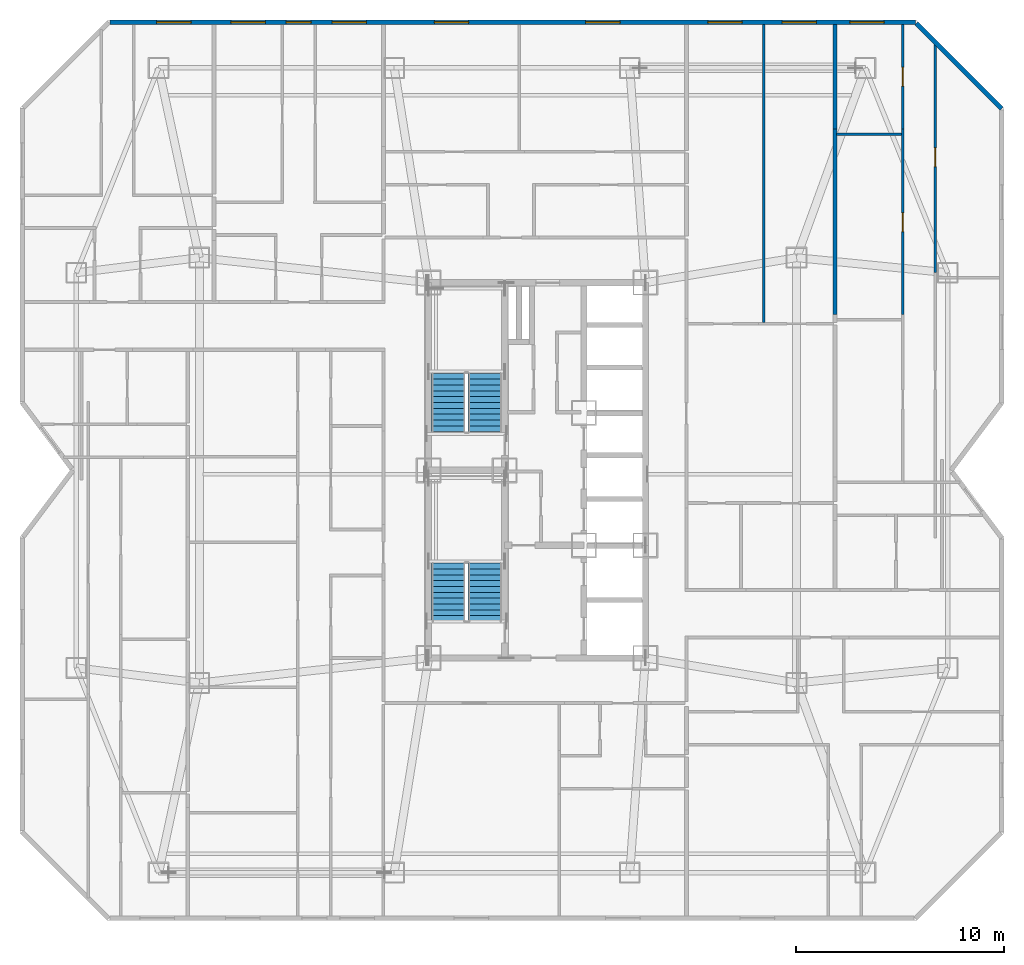
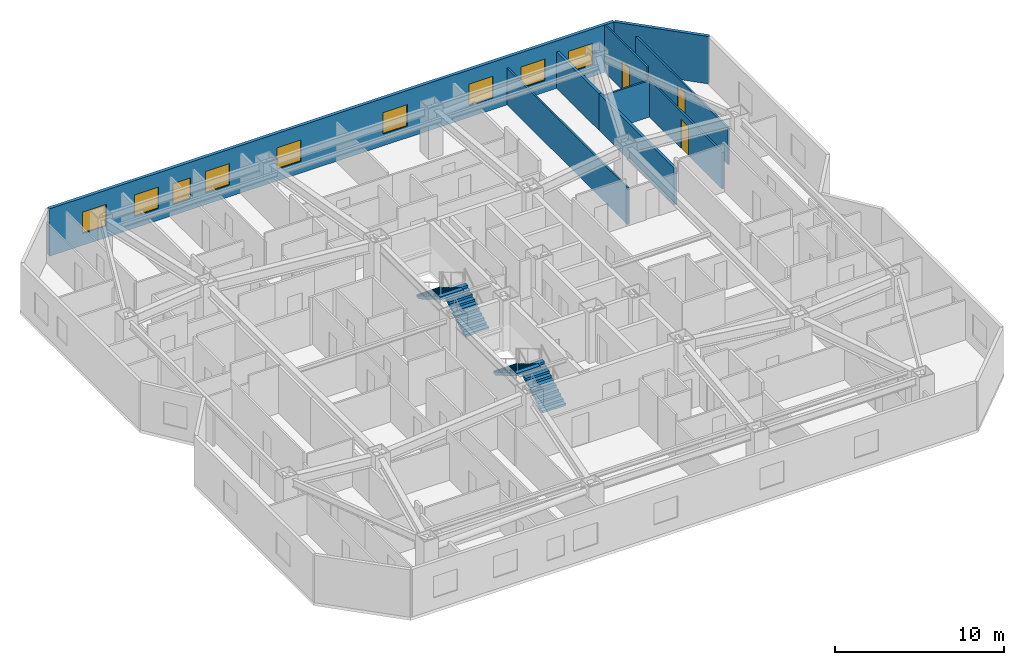
# One storey, part 11 of 12: 9 walls, 9 windows, 4 stair flights, 3 doors, 12 openings, 2 elements without a shape of their own.
"""IFC4 building model written with IfcOpenShell, lengths in metres."""

from ifc_helpers import new_model, si_unit, direction, frame, frame_2d, origin, place, context, subcontext, project, spatial, polyline, rectangle, outline, extrude, material, layer, layer_set, type_object, element, fill, aggregate, save


model = new_model("IFC4")

# Units and contexts
model_context = context("Model", 3, precision=1e-05, world=origin(), true_north=direction((0.0, 1.0)))
body_context = subcontext(model_context, "Body", "Model", "MODEL_VIEW")
ifc_project = project(units=[si_unit("LENGTHUNIT", "METRE"), si_unit("AREAUNIT", "SQUARE_METRE"), si_unit("VOLUMEUNIT", "CUBIC_METRE"), si_unit("PLANEANGLEUNIT", "RADIAN"), si_unit("MASSUNIT", "GRAM", prefix="KILO")], contexts=[model_context])

# Site, building, storey
site_placement = place(None, origin())
site = spatial("IfcSite", under=ifc_project, at=site_placement, CompositionType="ELEMENT")
building_placement = place(site_placement, origin())
building = spatial("IfcBuilding", under=site, at=building_placement, Name="Khamvora Tower", CompositionType="ELEMENT")
storey_placement = place(building_placement, frame((0.0, 0.0, 127.449951171875)))
storey = spatial("IfcBuildingStorey", under=building, at=storey_placement, Name="L32", CompositionType="ELEMENT", Elevation=127.449951171875)

# Walls
ifc_material_1 = material(Name="Acoustic Double-Stud Fire Wall", Category="gypsum")
ifc_layer_1 = layer(ifc_material_1, 0.179931640625)
ifc_layer_set_1 = layer_set([ifc_layer_1], Name="Acoustic Double-Stud Fire Wall")
wall_type_1 = type_object("IfcWallType", Name="WAL-CORR-180", PredefinedType="STANDARD", material=ifc_layer_set_1)
wall_1_placement = place(storey_placement, frame((48.489990234375, 44.373046875, 0.0), z_axis=(0.0, 0.0, 1.0), x_axis=(0.0, -1.0, 0.0)))
element("IfcWall", 1, at=wall_1_placement, inside=storey, type_object=wall_type_1, Name="L32 interior partition wall 147", PredefinedType="STANDARD", context=body_context, shape_type="SweptSolid", body=[
    extrude(rectangle(XDim=8.906982421875, YDim=0.179931640625, at=frame_2d((4.45361328125, 0.0))), origin(), (0.0, 0.0, 1.0), 2.64697265625),
])
wall_2_placement = place(storey_placement, frame((48.489990234375, 49.387939453125, 0.0), z_axis=(0.0, 0.0, 1.0), x_axis=(0.0, -1.0, 0.0)))
element("IfcWall", 2, at=wall_2_placement, inside=storey, type_object=wall_type_1, Name="L32 interior partition wall 148", PredefinedType="STANDARD", context=body_context, shape_type="SweptSolid", body=[
    extrude(rectangle(XDim=5.014892578125, YDim=0.179931640625, at=frame_2d((2.50732421875, 0.0))), origin(), (0.0, 0.0, 1.0), 2.64697265625),
])

# Wall, openings, windows
ifc_material_2 = material(Name="Precast concrete C40/50", Category="concrete")
ifc_layer_2 = layer(ifc_material_2, 0.219970703125)
ifc_layer_set_2 = layer_set([ifc_layer_2], Name="Precast concrete C40/50")
wall_type_2 = type_object("IfcWallType", Name="WAL-EXT-220", PredefinedType="STANDARD", material=ifc_layer_set_2)
wall_3_placement = place(storey_placement, frame((13.715087890625, 49.489990234375, 0.0), z_axis=(0.0, 0.0, 1.0), x_axis=(1.0, 0.0, 0.0)))
wall_3 = element("IfcWall", 3, at=wall_3_placement, inside=storey, type_object=wall_type_2, Name="L32 exterior facade wall 07.1", PredefinedType="STANDARD", context=body_context, shape_type="SweptSolid", body=[
    extrude(rectangle(XDim=38.638916015625, YDim=0.219970703125, at=frame_2d((19.3193359375, 0.0))), origin(), (0.0, 0.0, 1.0), 3.429931640625),
])
opening_1_placement = place(wall_3_placement, frame((2.242919921875, 0.0, 0.85009765625)))
opening_1 = element("IfcOpeningElement", 4, at=opening_1_placement, cuts=wall_3, Name="Opening WN-06", PredefinedType="OPENING", context=body_context, shape_type="SweptSolid", body=[
    extrude(rectangle(XDim=1.64990234375, YDim=1.550048828125, at=frame_2d((0.824951171875, 0.77490234375))), frame((0.0, 0.119873046875, 0.0), z_axis=(0.0, -1.0, 0.0), x_axis=(1.0, 0.0, 0.0)), (0.0, 0.0, 1.0), 0.239990234375),
])
opening_2_placement = place(wall_3_placement, frame((8.455078125, 0.0, 0.800048828125)))
opening_2 = element("IfcOpeningElement", 5, at=opening_2_placement, cuts=wall_3, Name="Opening WN-03", PredefinedType="OPENING", context=body_context, shape_type="SweptSolid", body=[
    extrude(rectangle(XDim=1.199951171875, YDim=1.5, at=frame_2d((0.60009765625, 0.75))), frame((0.0, 0.119873046875, 0.0), z_axis=(0.0, -1.0, 0.0), x_axis=(1.0, 0.0, 0.0)), (0.0, 0.0, 1.0), 0.239990234375),
])
opening_3_placement = place(wall_3_placement, frame((5.804931640625, 0.0, 0.85009765625)))
opening_3 = element("IfcOpeningElement", 6, at=opening_3_placement, cuts=wall_3, Name="Opening WN-06", PredefinedType="OPENING", context=body_context, shape_type="SweptSolid", body=[
    extrude(rectangle(XDim=1.64990234375, YDim=1.550048828125, at=frame_2d((0.824951171875, 0.77490234375))), frame((0.0, 0.119873046875, 0.0), z_axis=(0.0, -1.0, 0.0), x_axis=(1.0, 0.0, 0.0)), (0.0, 0.0, 1.0), 0.239990234375),
])
opening_4_placement = place(wall_3_placement, frame((10.655029296875, 0.0, 0.85009765625)))
opening_4 = element("IfcOpeningElement", 7, at=opening_4_placement, cuts=wall_3, Name="Opening WN-06", PredefinedType="OPENING", context=body_context, shape_type="SweptSolid", body=[
    extrude(rectangle(XDim=1.64990234375, YDim=1.550048828125, at=frame_2d((0.824951171875, 0.77490234375))), frame((0.0, 0.119873046875, 0.0), z_axis=(0.0, -1.0, 0.0), x_axis=(1.0, 0.0, 0.0)), (0.0, 0.0, 1.0), 0.239990234375),
])
opening_5_placement = place(wall_3_placement, frame((15.555908203125, 0.0, 0.85009765625)))
opening_5 = element("IfcOpeningElement", 8, at=opening_5_placement, cuts=wall_3, Name="Opening WN-06", PredefinedType="OPENING", context=body_context, shape_type="SweptSolid", body=[
    extrude(rectangle(XDim=1.64990234375, YDim=1.550048828125, at=frame_2d((0.824951171875, 0.77490234375))), frame((0.0, 0.119873046875, 0.0), z_axis=(0.0, -1.0, 0.0), x_axis=(1.0, 0.0, 0.0)), (0.0, 0.0, 1.0), 0.239990234375),
])
opening_6_placement = place(wall_3_placement, frame((22.821044921875, 0.0, 0.85009765625)))
opening_6 = element("IfcOpeningElement", 9, at=opening_6_placement, cuts=wall_3, Name="Opening WN-06", PredefinedType="OPENING", context=body_context, shape_type="SweptSolid", body=[
    extrude(rectangle(XDim=1.64990234375, YDim=1.550048828125, at=frame_2d((0.824951171875, 0.77490234375))), frame((0.0, 0.119873046875, 0.0), z_axis=(0.0, -1.0, 0.0), x_axis=(1.0, 0.0, 0.0)), (0.0, 0.0, 1.0), 0.239990234375),
])
opening_7_placement = place(wall_3_placement, frame((32.239013671875, 0.0, 0.85009765625)))
opening_7 = element("IfcOpeningElement", 10, at=opening_7_placement, cuts=wall_3, Name="Opening WN-06", PredefinedType="OPENING", context=body_context, shape_type="SweptSolid", body=[
    extrude(rectangle(XDim=1.64990234375, YDim=1.550048828125, at=frame_2d((0.824951171875, 0.77490234375))), frame((0.0, 0.119873046875, 0.0), z_axis=(0.0, -1.0, 0.0), x_axis=(1.0, 0.0, 0.0)), (0.0, 0.0, 1.0), 0.239990234375),
])
opening_8_placement = place(wall_3_placement, frame((28.676025390625, 0.0, 0.85009765625)))
opening_8 = element("IfcOpeningElement", 11, at=opening_8_placement, cuts=wall_3, Name="Opening WN-06", PredefinedType="OPENING", context=body_context, shape_type="SweptSolid", body=[
    extrude(rectangle(XDim=1.64990234375, YDim=1.550048828125, at=frame_2d((0.824951171875, 0.77490234375))), frame((0.0, 0.119873046875, 0.0), z_axis=(0.0, -1.0, 0.0), x_axis=(1.0, 0.0, 0.0)), (0.0, 0.0, 1.0), 0.239990234375),
])
opening_9_placement = place(wall_3_placement, frame((35.489013671875, 0.0, 0.85009765625)))
opening_9 = element("IfcOpeningElement", 12, at=opening_9_placement, cuts=wall_3, Name="Opening WN-06", PredefinedType="OPENING", context=body_context, shape_type="SweptSolid", body=[
    extrude(rectangle(XDim=1.64990234375, YDim=1.550048828125, at=frame_2d((0.824951171875, 0.77490234375))), frame((0.0, 0.119873046875, 0.0), z_axis=(0.0, -1.0, 0.0), x_axis=(1.0, 0.0, 0.0)), (0.0, 0.0, 1.0), 0.239990234375),
])
ifc_material_3 = material(Name="Low-E Laminated Double Glazing", Category="glass")
window_type_1 = type_object("IfcWindowType", Name="WIN-VIS-1200x1500", PartitioningType="SINGLE_PANEL", PredefinedType="WINDOW", material=ifc_material_3)
window_1_placement = place(opening_2_placement, origin())
window_1 = element("IfcWindow", 13, at=window_1_placement, inside=storey, type_object=window_type_1, Name="L32 vision window 07.1.02", OverallHeight=1.5, OverallWidth=1.199951171875, PartitioningType="SINGLE_PANEL", PredefinedType="WINDOW", context=body_context, shape_type="SweptSolid", body=[
    extrude(rectangle(XDim=1.199951171875, YDim=1.5, at=frame_2d((0.60009765625, 0.75))), frame((0.0, 0.030029296875, 0.0), z_axis=(0.0, -1.0, 0.0), x_axis=(1.0, 0.0, 0.0)), (0.0, 0.0, 1.0), 0.06005859375),
])
fill(opening_2, window_1)
window_type_2 = type_object("IfcWindowType", Name="WIN-VIS-1650x1550", PartitioningType="SINGLE_PANEL", PredefinedType="WINDOW", material=ifc_material_3)
window_2_placement = place(opening_1_placement, origin())
window_2 = element("IfcWindow", 14, at=window_2_placement, inside=storey, type_object=window_type_2, Name="L32 vision window 07.1.01", OverallHeight=1.550048828125, OverallWidth=1.64990234375, PartitioningType="SINGLE_PANEL", PredefinedType="WINDOW", context=body_context, shape_type="SweptSolid", body=[
    extrude(rectangle(XDim=1.64990234375, YDim=1.550048828125, at=frame_2d((0.824951171875, 0.77490234375))), frame((0.0, 0.030029296875, 0.0), z_axis=(0.0, -1.0, 0.0), x_axis=(1.0, 0.0, 0.0)), (0.0, 0.0, 1.0), 0.06005859375),
])
fill(opening_1, window_2)
window_3_placement = place(opening_3_placement, origin())
window_3 = element("IfcWindow", 15, at=window_3_placement, inside=storey, type_object=window_type_2, Name="L32 vision window 07.1.03", OverallHeight=1.550048828125, OverallWidth=1.64990234375, PartitioningType="SINGLE_PANEL", PredefinedType="WINDOW", context=body_context, shape_type="SweptSolid", body=[
    extrude(rectangle(XDim=1.64990234375, YDim=1.550048828125, at=frame_2d((0.824951171875, 0.77490234375))), frame((0.0, 0.030029296875, 0.0), z_axis=(0.0, -1.0, 0.0), x_axis=(1.0, 0.0, 0.0)), (0.0, 0.0, 1.0), 0.06005859375),
])
fill(opening_3, window_3)
window_4_placement = place(opening_4_placement, origin())
window_4 = element("IfcWindow", 16, at=window_4_placement, inside=storey, type_object=window_type_2, Name="L32 vision window 07.1.04", OverallHeight=1.550048828125, OverallWidth=1.64990234375, PartitioningType="SINGLE_PANEL", PredefinedType="WINDOW", context=body_context, shape_type="SweptSolid", body=[
    extrude(rectangle(XDim=1.64990234375, YDim=1.550048828125, at=frame_2d((0.824951171875, 0.77490234375))), frame((0.0, 0.030029296875, 0.0), z_axis=(0.0, -1.0, 0.0), x_axis=(1.0, 0.0, 0.0)), (0.0, 0.0, 1.0), 0.06005859375),
])
fill(opening_4, window_4)
window_5_placement = place(opening_5_placement, origin())
window_5 = element("IfcWindow", 17, at=window_5_placement, inside=storey, type_object=window_type_2, Name="L32 vision window 07.1.05", OverallHeight=1.550048828125, OverallWidth=1.64990234375, PartitioningType="SINGLE_PANEL", PredefinedType="WINDOW", context=body_context, shape_type="SweptSolid", body=[
    extrude(rectangle(XDim=1.64990234375, YDim=1.550048828125, at=frame_2d((0.824951171875, 0.77490234375))), frame((0.0, 0.030029296875, 0.0), z_axis=(0.0, -1.0, 0.0), x_axis=(1.0, 0.0, 0.0)), (0.0, 0.0, 1.0), 0.06005859375),
])
fill(opening_5, window_5)
window_6_placement = place(opening_6_placement, origin())
window_6 = element("IfcWindow", 18, at=window_6_placement, inside=storey, type_object=window_type_2, Name="L32 vision window 07.1.06", OverallHeight=1.550048828125, OverallWidth=1.64990234375, PartitioningType="SINGLE_PANEL", PredefinedType="WINDOW", context=body_context, shape_type="SweptSolid", body=[
    extrude(rectangle(XDim=1.64990234375, YDim=1.550048828125, at=frame_2d((0.824951171875, 0.77490234375))), frame((0.0, 0.030029296875, 0.0), z_axis=(0.0, -1.0, 0.0), x_axis=(1.0, 0.0, 0.0)), (0.0, 0.0, 1.0), 0.06005859375),
])
fill(opening_6, window_6)
window_7_placement = place(opening_7_placement, origin())
window_7 = element("IfcWindow", 19, at=window_7_placement, inside=storey, type_object=window_type_2, Name="L32 vision window 07.1.07", OverallHeight=1.550048828125, OverallWidth=1.64990234375, PartitioningType="SINGLE_PANEL", PredefinedType="WINDOW", context=body_context, shape_type="SweptSolid", body=[
    extrude(rectangle(XDim=1.64990234375, YDim=1.550048828125, at=frame_2d((0.824951171875, 0.77490234375))), frame((0.0, 0.030029296875, 0.0), z_axis=(0.0, -1.0, 0.0), x_axis=(1.0, 0.0, 0.0)), (0.0, 0.0, 1.0), 0.06005859375),
])
fill(opening_7, window_7)
window_8_placement = place(opening_8_placement, origin())
window_8 = element("IfcWindow", 20, at=window_8_placement, inside=storey, type_object=window_type_2, Name="L32 vision window 07.1.08", OverallHeight=1.550048828125, OverallWidth=1.64990234375, PartitioningType="SINGLE_PANEL", PredefinedType="WINDOW", context=body_context, shape_type="SweptSolid", body=[
    extrude(rectangle(XDim=1.64990234375, YDim=1.550048828125, at=frame_2d((0.824951171875, 0.77490234375))), frame((0.0, 0.030029296875, 0.0), z_axis=(0.0, -1.0, 0.0), x_axis=(1.0, 0.0, 0.0)), (0.0, 0.0, 1.0), 0.06005859375),
])
fill(opening_8, window_8)
window_9_placement = place(opening_9_placement, origin())
window_9 = element("IfcWindow", 21, at=window_9_placement, inside=storey, type_object=window_type_2, Name="L32 vision window 07.1.09", OverallHeight=1.550048828125, OverallWidth=1.64990234375, PartitioningType="SINGLE_PANEL", PredefinedType="WINDOW", context=body_context, shape_type="SweptSolid", body=[
    extrude(rectangle(XDim=1.64990234375, YDim=1.550048828125, at=frame_2d((0.824951171875, 0.77490234375))), frame((0.0, 0.030029296875, 0.0), z_axis=(0.0, -1.0, 0.0), x_axis=(1.0, 0.0, 0.0)), (0.0, 0.0, 1.0), 0.06005859375),
])
fill(opening_9, window_9)

# Walls
wall_4_placement = place(storey_placement, frame((52.402099609375, 49.44189453125, 0.0), z_axis=(0.0, 0.0, 1.0), x_axis=(0.707106781187, -0.707106781187, 0.0)))
element("IfcWall", 22, at=wall_4_placement, inside=storey, type_object=wall_type_2, Name="L32 exterior facade wall 08.1", PredefinedType="STANDARD", context=body_context, shape_type="SweptSolid", body=[
    extrude(rectangle(XDim=5.78125, YDim=0.219970703125, at=frame_2d((2.890625, 0.0))), origin(), (0.0, 0.0, 1.0), 3.429931640625),
])
ifc_material_4 = material(Name="Gypsum Plasterboard Partition", Category="gypsum")
ifc_layer_3 = layer(ifc_material_4, 0.1201171875)
ifc_layer_set_3 = layer_set([ifc_layer_3], Name="Gypsum Plasterboard Partition")
wall_type_3 = type_object("IfcWallType", Name="WAL-PART-120", PredefinedType="PARTITIONING", material=ifc_layer_set_3)
wall_5_placement = place(storey_placement, frame((45.06689453125, 35.083984375, 0.0), z_axis=(0.0, 0.0, 1.0), x_axis=(0.0, 1.0, 0.0)))
element("IfcWall", 23, at=wall_5_placement, inside=storey, type_object=wall_type_3, Name="L32 interior partition wall 145", PredefinedType="PARTITIONING", context=body_context, shape_type="SweptSolid", body=[
    extrude(rectangle(XDim=14.303955078125, YDim=0.1201171875, at=frame_2d((7.15185546875, 0.0))), origin(), (0.0, 0.0, 1.0), 2.64697265625),
])

# Wall, opening, door
wall_6_placement = place(storey_placement, frame((51.738037109375, 35.466064453125, 0.0), z_axis=(0.0, 0.0, 1.0), x_axis=(0.0, 1.0, 0.0)))
wall_6 = element("IfcWall", 24, at=wall_6_placement, inside=storey, type_object=wall_type_3, Name="L32 interior partition wall 158", PredefinedType="PARTITIONING", context=body_context, shape_type="SweptSolid", body=[
    extrude(rectangle(XDim=8.906982421875, YDim=0.1201171875, at=frame_2d((4.45361328125, 0.0))), origin(), (0.0, 0.0, 1.0), 2.64697265625),
])
opening_10_placement = place(wall_6_placement, frame((3.98193359375, 0.0, 0.0)))
opening_10 = element("IfcOpeningElement", 25, at=opening_10_placement, cuts=wall_6, Name="Opening D-RM1", PredefinedType="OPENING", context=body_context, shape_type="SweptSolid", body=[
    extrude(rectangle(XDim=0.89990234375, YDim=2.10009765625, at=frame_2d((0.449951171875, 1.050048828125))), frame((0.0, 0.070068359375, 0.0), z_axis=(0.0, -1.0, 0.0), x_axis=(1.0, 0.0, 0.0)), (0.0, 0.0, 1.0), 0.14013671875),
])
ifc_material_5 = material(Name="Powder-Coated Steel and Hardwood Leaf", Category="steel")
door_type = type_object("IfcDoorType", Name="DOR-ROOM-900", OperationType="NOTDEFINED", PredefinedType="DOOR", material=ifc_material_5)
door_1_placement = place(opening_10_placement, origin())
door_1 = element("IfcDoor", 26, at=door_1_placement, inside=storey, type_object=door_type, Name="L32 interior door 32ECH-32ECR2", OperationType="SINGLE_SWING_RIGHT", OverallHeight=2.10009765625, OverallWidth=0.89990234375, PredefinedType="DOOR", context=body_context, shape_type="SweptSolid", body=[
    extrude(rectangle(XDim=0.89990234375, YDim=2.10009765625, at=frame_2d((0.449951171875, 1.050048828125))), frame((0.0, 0.02490234375, 0.0), z_axis=(0.0, -1.0, 0.0), x_axis=(1.0, 0.0, 0.0)), (0.0, 0.0, 1.0), 0.050048828125),
])
fill(opening_10, door_1)

wall_7_placement = place(storey_placement, frame((51.738037109375, 44.373046875, 0.0), z_axis=(0.0, 0.0, 1.0), x_axis=(0.0, 1.0, 0.0)))
wall_7 = element("IfcWall", 27, at=wall_7_placement, inside=storey, type_object=wall_type_3, Name="L32 interior partition wall 159", PredefinedType="PARTITIONING", context=body_context, shape_type="SweptSolid", body=[
    extrude(rectangle(XDim=5.014892578125, YDim=0.1201171875, at=frame_2d((2.50732421875, 0.0))), origin(), (0.0, 0.0, 1.0), 3.429931640625),
])
opening_11_placement = place(wall_7_placement, frame((2.056884765625, 0.0, 0.0)))
opening_11 = element("IfcOpeningElement", 28, at=opening_11_placement, cuts=wall_7, Name="Opening D-RM1", PredefinedType="OPENING", context=body_context, shape_type="SweptSolid", body=[
    extrude(rectangle(XDim=0.89990234375, YDim=2.10009765625, at=frame_2d((0.449951171875, 1.050048828125))), frame((0.0, 0.070068359375, 0.0), z_axis=(0.0, -1.0, 0.0), x_axis=(1.0, 0.0, 0.0)), (0.0, 0.0, 1.0), 0.14013671875),
])
door_2_placement = place(opening_11_placement, origin())
door_2 = element("IfcDoor", 29, at=door_2_placement, inside=storey, type_object=door_type, Name="L32 interior door 32ECH-32ECR3", OperationType="SINGLE_SWING_LEFT", OverallHeight=2.10009765625, OverallWidth=0.89990234375, PredefinedType="DOOR", context=body_context, shape_type="SweptSolid", body=[
    extrude(rectangle(XDim=0.89990234375, YDim=2.10009765625, at=frame_2d((0.449951171875, 1.050048828125))), frame((0.0, 0.02490234375, 0.0), z_axis=(0.0, -1.0, 0.0), x_axis=(1.0, 0.0, 0.0)), (0.0, 0.0, 1.0), 0.050048828125),
])
fill(opening_11, door_2)

wall_8_placement = place(storey_placement, frame((53.306884765625, 48.5458984375, 0.0), z_axis=(0.0, 0.0, 1.0), x_axis=(0.0, -1.0, 0.0)))
wall_8 = element("IfcWall", 30, at=wall_8_placement, inside=storey, type_object=wall_type_3, Name="L32 interior partition wall 162", PredefinedType="PARTITIONING", context=body_context, shape_type="SweptSolid", body=[
    extrude(rectangle(XDim=11.059814453125, YDim=0.1201171875, at=frame_2d((5.52978515625, 0.0))), origin(), (0.0, 0.0, 1.0), 2.64697265625),
])
opening_12_placement = place(wall_8_placement, frame((5.080078125, 0.0, 0.0)))
opening_12 = element("IfcOpeningElement", 31, at=opening_12_placement, cuts=wall_8, Name="Opening D-RM1", PredefinedType="OPENING", context=body_context, shape_type="SweptSolid", body=[
    extrude(rectangle(XDim=0.89990234375, YDim=2.10009765625, at=frame_2d((0.449951171875, 1.050048828125))), frame((0.0, 0.070068359375, 0.0), z_axis=(0.0, -1.0, 0.0), x_axis=(1.0, 0.0, 0.0)), (0.0, 0.0, 1.0), 0.14013671875),
])
door_3_placement = place(opening_12_placement, origin())
door_3 = element("IfcDoor", 32, at=door_3_placement, inside=storey, type_object=door_type, Name="L32 interior door 32ECH-32ECR5", OperationType="SINGLE_SWING_RIGHT", OverallHeight=2.10009765625, OverallWidth=0.89990234375, PredefinedType="DOOR", context=body_context, shape_type="SweptSolid", body=[
    extrude(rectangle(XDim=0.89990234375, YDim=2.10009765625, at=frame_2d((0.449951171875, 1.050048828125))), frame((0.0, 0.02490234375, 0.0), z_axis=(0.0, -1.0, 0.0), x_axis=(1.0, 0.0, 0.0)), (0.0, 0.0, 1.0), 0.050048828125),
])
fill(opening_12, door_3)

# Wall
wall_9_placement = place(storey_placement, frame((48.572021484375, 44.1240234375, 0.0), z_axis=(0.0, 0.0, 1.0), x_axis=(1.0, 0.0, 0.0)))
element("IfcWall", 33, at=wall_9_placement, inside=storey, type_object=wall_type_3, Name="L32 interior partition wall 164", PredefinedType="PARTITIONING", context=body_context, shape_type="SweptSolid", body=[
    extrude(rectangle(XDim=3.112060546875, YDim=0.1201171875, at=frame_2d((1.55615234375, 0.0))), origin(), (0.0, 0.0, 1.0), 2.64697265625),
])

# Stair, stair flights
ifc_material_6 = material(Name="Concrete C40/50", Category="concrete")
stair_type_1 = type_object("IfcStairType", Name="STR-ST-01", PredefinedType="HALF_TURN_STAIR", material=ifc_material_6)
stair_1_placement = place(storey_placement, origin())
stair_1 = element("IfcStair", 34, at=stair_1_placement, inside=storey, type_object=stair_type_1, Name="L32 South Tower Exit Stair ST-01", PredefinedType="HALF_TURN_STAIR")
stair_flight_type_1 = type_object("IfcStairFlightType", Name="STF-ST-01", PredefinedType="STRAIGHT", material=ifc_material_6)
stair_flight_1_placement = place(storey_placement, frame((31.699951171875, 20.75, 0.0), z_axis=(0.0, 0.0, 1.0), x_axis=(0.0, 1.0, 0.0)))
stair_flight_1 = element("IfcStairFlight", 35, at=stair_flight_1_placement, type_object=stair_flight_type_1, Name="ST-01 flight 1", NumberOfRisers=11, NumberOfTreads=10, PredefinedType="STRAIGHT", RiserHeight=0.165909091, TreadLength=0.28, context=body_context, shape_type="SweptSolid", body=[
    extrude(outline(polyline([(0.0, 0.0), (0.0, 0.166015625), (0.280029296875, 0.166015625), (0.280029296875, 0.331787109375), (0.56005859375, 0.331787109375), (0.56005859375, 0.497802734375), (0.840087890625, 0.497802734375), (0.840087890625, 0.66357421875), (1.1201171875, 0.66357421875), (1.1201171875, 0.82958984375), (1.39990234375, 0.82958984375), (1.39990234375, 0.995361328125), (1.679931640625, 0.995361328125), (1.679931640625, 1.161376953125), (1.9599609375, 1.161376953125), (1.9599609375, 1.327392578125), (2.239990234375, 1.327392578125), (2.239990234375, 1.4931640625), (2.52001953125, 1.4931640625), (2.52001953125, 1.6591796875), (2.800048828125, 1.6591796875), (2.800048828125, 1.824951171875), (2.800048828125, 1.48486328125), (0.2939453125, 0.0), (0.0, 0.0)])), frame((0.0, 0.800048828125, 0.0), z_axis=(0.0, -1.0, 0.0), x_axis=(1.0, 0.0, 0.0)), (0.0, 0.0, 1.0), 1.60009765625),
])
stair_flight_2_placement = place(storey_placement, frame((29.949951171875, 23.550048828125, 1.824951171875), z_axis=(0.0, 0.0, 1.0), x_axis=(0.0, -1.0, 0.0)))
stair_flight_2 = element("IfcStairFlight", 36, at=stair_flight_2_placement, type_object=stair_flight_type_1, Name="ST-01 flight 2", NumberOfRisers=11, NumberOfTreads=10, PredefinedType="STRAIGHT", RiserHeight=0.165909091, TreadLength=0.28, context=body_context, shape_type="SweptSolid", body=[
    extrude(outline(polyline([(0.0, 0.0), (0.0, 0.166015625), (0.280029296875, 0.166015625), (0.280029296875, 0.331787109375), (0.56005859375, 0.331787109375), (0.56005859375, 0.497802734375), (0.840087890625, 0.497802734375), (0.840087890625, 0.66357421875), (1.1201171875, 0.66357421875), (1.1201171875, 0.82958984375), (1.39990234375, 0.82958984375), (1.39990234375, 0.995361328125), (1.679931640625, 0.995361328125), (1.679931640625, 1.161376953125), (1.9599609375, 1.161376953125), (1.9599609375, 1.327392578125), (2.239990234375, 1.327392578125), (2.239990234375, 1.4931640625), (2.52001953125, 1.4931640625), (2.52001953125, 1.6591796875), (2.800048828125, 1.6591796875), (2.800048828125, 1.824951171875), (2.800048828125, 1.48486328125), (0.2939453125, 0.0), (0.0, 0.0)])), frame((0.0, 0.800048828125, 0.0), z_axis=(0.0, -1.0, 0.0), x_axis=(1.0, 0.0, 0.0)), (0.0, 0.0, 1.0), 1.60009765625),
])
aggregate(stair_1, [stair_flight_1, stair_flight_2])

stair_type_2 = type_object("IfcStairType", Name="STR-ST-02", PredefinedType="HALF_TURN_STAIR", material=ifc_material_6)
stair_2_placement = place(storey_placement, origin())
stair_2 = element("IfcStair", 37, at=stair_2_placement, inside=storey, type_object=stair_type_2, Name="L32 North Tower Exit Stair ST-02", PredefinedType="HALF_TURN_STAIR")
stair_flight_type_2 = type_object("IfcStairFlightType", Name="STF-ST-02", PredefinedType="STRAIGHT", material=ifc_material_6)
stair_flight_3_placement = place(storey_placement, frame((31.699951171875, 29.85009765625, 0.0), z_axis=(0.0, 0.0, 1.0), x_axis=(0.0, 1.0, 0.0)))
stair_flight_3 = element("IfcStairFlight", 38, at=stair_flight_3_placement, type_object=stair_flight_type_2, Name="ST-02 flight 1", NumberOfRisers=11, NumberOfTreads=10, PredefinedType="STRAIGHT", RiserHeight=0.165909091, TreadLength=0.28, context=body_context, shape_type="SweptSolid", body=[
    extrude(outline(polyline([(0.0, 0.0), (0.0, 0.166015625), (0.280029296875, 0.166015625), (0.280029296875, 0.331787109375), (0.56005859375, 0.331787109375), (0.56005859375, 0.497802734375), (0.840087890625, 0.497802734375), (0.840087890625, 0.66357421875), (1.1201171875, 0.66357421875), (1.1201171875, 0.82958984375), (1.39990234375, 0.82958984375), (1.39990234375, 0.995361328125), (1.679931640625, 0.995361328125), (1.679931640625, 1.161376953125), (1.9599609375, 1.161376953125), (1.9599609375, 1.327392578125), (2.239990234375, 1.327392578125), (2.239990234375, 1.4931640625), (2.52001953125, 1.4931640625), (2.52001953125, 1.6591796875), (2.800048828125, 1.6591796875), (2.800048828125, 1.824951171875), (2.800048828125, 1.48486328125), (0.2939453125, 0.0), (0.0, 0.0)])), frame((0.0, 0.800048828125, 0.0), z_axis=(0.0, -1.0, 0.0), x_axis=(1.0, 0.0, 0.0)), (0.0, 0.0, 1.0), 1.60009765625),
])
stair_flight_4_placement = place(storey_placement, frame((29.949951171875, 32.64990234375, 1.824951171875), z_axis=(0.0, 0.0, 1.0), x_axis=(0.0, -1.0, 0.0)))
stair_flight_4 = element("IfcStairFlight", 39, at=stair_flight_4_placement, type_object=stair_flight_type_2, Name="ST-02 flight 2", NumberOfRisers=11, NumberOfTreads=10, PredefinedType="STRAIGHT", RiserHeight=0.165909091, TreadLength=0.28, context=body_context, shape_type="SweptSolid", body=[
    extrude(outline(polyline([(0.0, 0.0), (0.0, 0.166015625), (0.280029296875, 0.166015625), (0.280029296875, 0.331787109375), (0.56005859375, 0.331787109375), (0.56005859375, 0.497802734375), (0.840087890625, 0.497802734375), (0.840087890625, 0.66357421875), (1.1201171875, 0.66357421875), (1.1201171875, 0.82958984375), (1.39990234375, 0.82958984375), (1.39990234375, 0.995361328125), (1.679931640625, 0.995361328125), (1.679931640625, 1.161376953125), (1.9599609375, 1.161376953125), (1.9599609375, 1.327392578125), (2.239990234375, 1.327392578125), (2.239990234375, 1.4931640625), (2.52001953125, 1.4931640625), (2.52001953125, 1.6591796875), (2.800048828125, 1.6591796875), (2.800048828125, 1.824951171875), (2.800048828125, 1.48486328125), (0.2939453125, 0.0), (0.0, 0.0)])), frame((0.0, 0.800048828125, 0.0), z_axis=(0.0, -1.0, 0.0), x_axis=(1.0, 0.0, 0.0)), (0.0, 0.0, 1.0), 1.60009765625),
])
aggregate(stair_2, [stair_flight_3, stair_flight_4])

save(model, "model.ifc")
